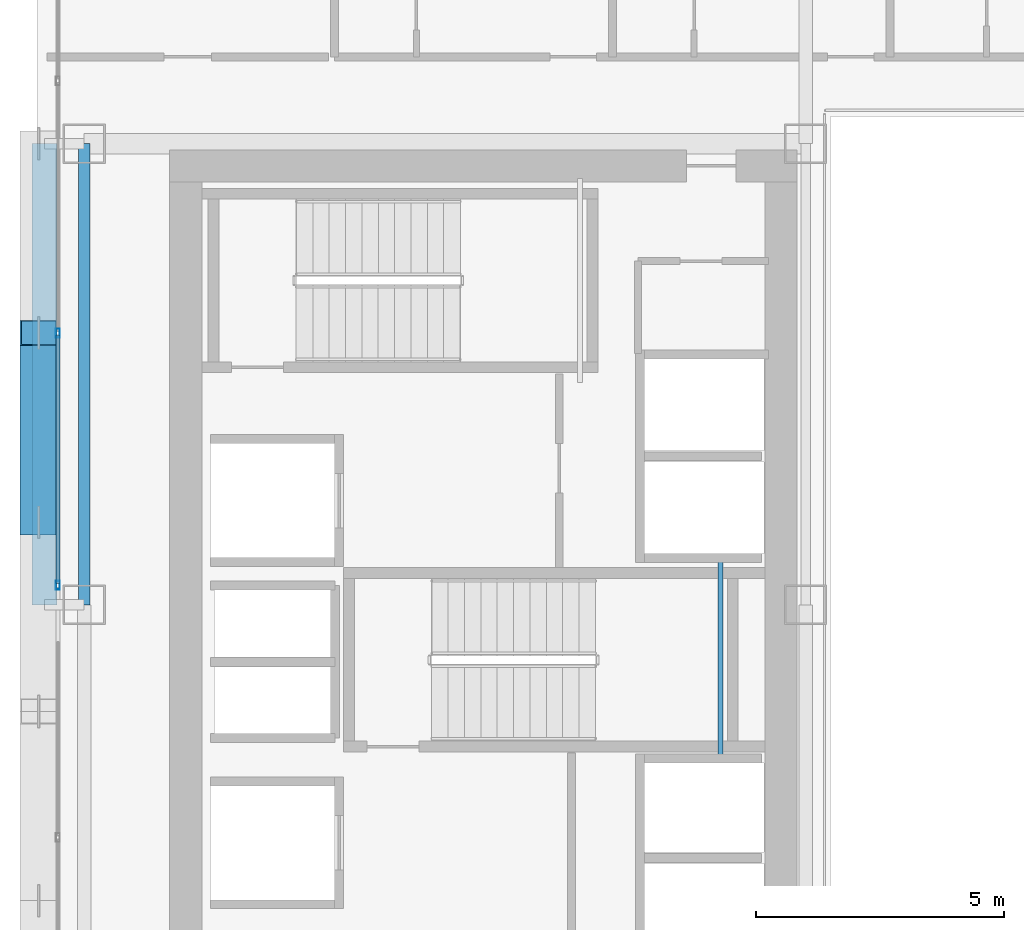
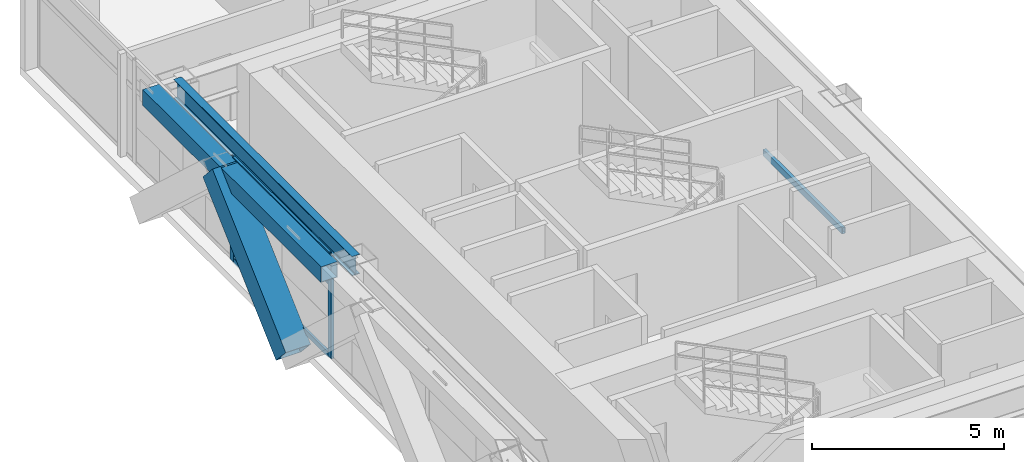
# One storey, part 8 of 36: 6 members, 3 beams, 1 element without a shape of its own.
"""IFC4 building model written with IfcOpenShell, lengths in metres."""

from ifc_helpers import new_model, si_unit, direction, frame, origin, origin_2d, place, context, subcontext, project, spatial, hollow_rectangle, i_section, extrude, source, transform, mapped, material, layer, layer_set, material_profile, profile_set, type_object, element, aggregate, save


model = new_model("IFC4")

# Units and contexts
model_context = context("Model", 3, precision=1e-05, world=origin(), true_north=direction((0.0, 1.0)))
body_context = subcontext(model_context, "Body", "Model", "MODEL_VIEW")
ifc_project = project(units=[si_unit("LENGTHUNIT", "METRE"), si_unit("AREAUNIT", "SQUARE_METRE"), si_unit("VOLUMEUNIT", "CUBIC_METRE"), si_unit("PLANEANGLEUNIT", "RADIAN"), si_unit("MASSUNIT", "GRAM", prefix="KILO")], contexts=[model_context])

# Site, building, storey
site_placement = place(None, origin())
site = spatial("IfcSite", under=ifc_project, at=site_placement, CompositionType="ELEMENT")
building_placement = place(site_placement, origin())
building = spatial("IfcBuilding", under=site, at=building_placement, Name="Ocotamira Hotel", CompositionType="ELEMENT")
storey_placement = place(building_placement, frame((0.0, 0.0, 147.60009765625)))
storey = spatial("IfcBuildingStorey", under=building, at=storey_placement, Name="L37", CompositionType="ELEMENT", Elevation=147.60009765625)

# Beams
ifc_material_1 = material(Name="Steel ASTM A500 Grade C", Category="steel")
ifc_material_profile_1 = material_profile(ifc_material_1, hollow_rectangle(XDim=0.10009765625, YDim=0.199951171875, WallThickness=0.008056640625, at=origin_2d()), Name="HSS200X100X8")
ifc_profile_set_1 = profile_set([ifc_material_profile_1], Name="Steel ASTM A500 Grade C")
beam_type_1 = type_object("IfcBeamType", Name="BM-STLDG-HSS200", PredefinedType="BEAM", material=ifc_profile_set_1)
shared_shape_1 = source(origin(), body_context, "Body", "SweptSolid", [
    extrude(hollow_rectangle(XDim=0.10009765625, YDim=0.199951171875, WallThickness=0.008056640625, at=origin_2d()), origin(), (0.0, 0.0, 1.0), 4.1201171875),
])
beam_1_placement = place(storey_placement, frame((21.780029296875, 24.97998046875, 1.5), z_axis=(0.0, 1.0, 0.0), x_axis=(-1.0, 0.0, 0.0)))
element("IfcBeam", 1, at=beam_1_placement, inside=storey, type_object=beam_type_1, Name="L37 Stair ST-3 Landing Bearer 1", PredefinedType="BEAM", context=body_context, shape_type="MappedRepresentation", body=[
    mapped(shared_shape_1, transform((0.0, 0.0, 0.0), scale=1.0)),
])
ifc_material_2 = material(Name="Steel ASTM A992 Grade 50", Category="steel")
ifc_material_profile_2 = material_profile(ifc_material_2, i_section(OverallWidth=0.22998046875, OverallDepth=0.616943359375, WebThickness=0.01318359375, FlangeThickness=0.022216796875, FilletRadius=0.012939453125, at=origin_2d()), Name="W24X94")
ifc_profile_set_2 = profile_set([ifc_material_profile_2], Name="Steel ASTM A992 Grade 50")
beam_type_2 = type_object("IfcBeamType", Name="BM-PRIM-W24X94", PredefinedType="BEAM", material=ifc_profile_set_2)
shared_shape_2 = source(origin(), body_context, "Body", "SweptSolid", [
    extrude(i_section(OverallWidth=0.22998046875, OverallDepth=0.616943359375, WebThickness=0.01318359375, FlangeThickness=0.022216796875, FilletRadius=0.012939453125, at=origin_2d()), origin(), (0.0, 0.0, 1.0), 9.300048828125),
])
beam_2_placement = place(storey_placement, frame((8.949951171875, 28.14990234375, 2.971435546875), z_axis=(0.0, 1.0, 0.0), x_axis=(-1.0, 0.0, 0.0)))
element("IfcBeam", 2, at=beam_2_placement, inside=storey, type_object=beam_type_2, Name="L37 Beam X8.95 Y28.15-37.45", PredefinedType="BEAM", context=body_context, shape_type="MappedRepresentation", body=[
    mapped(shared_shape_2, transform((0.0, 0.0, 0.0), scale=1.0)),
])
ifc_material_profile_3 = material_profile(ifc_material_1, hollow_rectangle(XDim=0.5, YDim=0.5, WallThickness=0.02001953125, at=origin_2d()), Name="HSS500X500X20")
ifc_profile_set_3 = profile_set([ifc_material_profile_3], Name="Steel ASTM A500 Grade C")
beam_type_3 = type_object("IfcBeamType", Name="BM-SPAN-HSS500", PredefinedType="USERDEFINED", material=ifc_profile_set_3)
shared_shape_3 = source(origin(), body_context, "Body", "SweptSolid", [
    extrude(hollow_rectangle(XDim=0.5, YDim=0.5, WallThickness=0.02001953125, at=origin_2d()), origin(), (0.0, 0.0, 1.0), 9.300048828125),
])
beam_3_placement = place(storey_placement, frame((8.14990234375, 28.14990234375, 3.02978515625), z_axis=(0.0, 1.0, 0.0), x_axis=(-1.0, 0.0, 0.0)))
element("IfcBeam", 3, at=beam_3_placement, inside=storey, type_object=beam_type_3, Name="L37 Edge Spandrel W Y28.15-37.45", ObjectType="SPANDREL", PredefinedType="USERDEFINED", context=body_context, shape_type="MappedRepresentation", body=[
    mapped(shared_shape_3, transform((0.0, 0.0, 0.0), scale=1.0)),
])

# Member
ifc_material_3 = material(Name="Pale-metal coated steel ASTM A913 Grade 65", Category="steel")
ifc_material_profile_4 = material_profile(ifc_material_3, hollow_rectangle(XDim=0.75, YDim=0.75, WallThickness=0.028076171875, at=origin_2d()), Name="BOX750X750X28")
ifc_profile_set_4 = profile_set([ifc_material_profile_4], Name="Pale-metal coated steel ASTM A913 Grade 65")
member_type_1 = type_object("IfcMemberType", Name="MEM-EXO-BOX750", PredefinedType="BRACE", material=ifc_profile_set_4)
shared_shape_4 = source(origin(), body_context, "Body", "SweptSolid", [
    extrude(hollow_rectangle(XDim=0.75, YDim=0.75, WallThickness=0.028076171875, at=origin_2d()), origin(), (0.0, 0.0, 1.0), 5.19189453125),
])
member_1_placement = place(storey_placement, frame((8.030029296875, 29.816650390625, -0.489990234375), z_axis=(0.0, 0.735118858477, 0.677938244909), x_axis=(-1.0, 0.0, 0.0)))
element("IfcMember", 4, at=member_1_placement, inside=storey, type_object=member_type_1, Name="L37 Exoskeleton Diagrid W2.1", PredefinedType="BRACE", context=body_context, shape_type="MappedRepresentation", body=[
    mapped(shared_shape_4, transform((0.0, 0.0, 0.0), scale=1.0)),
])

# Curtain wall, members
ifc_material_4 = material(Name="Anodised pale-metal aluminium and solar glass", Category="aluminium")
ifc_layer = layer(ifc_material_4, 0.179931640625)
ifc_layer_set = layer_set([ifc_layer], Name="Anodised pale-metal aluminium and solar glass")
curtain_wall_type = type_object("IfcCurtainWallType", Name="CW-SYS3-Z2", PredefinedType="NOTDEFINED", material=ifc_layer_set)
curtain_wall_placement = place(storey_placement, origin())
curtain_wall = element("IfcCurtainWall", 5, at=curtain_wall_placement, inside=storey, type_object=curtain_wall_type, Name="L37 Curtain Wall CW-3 CW-L37-W", PredefinedType="NOTDEFINED")
ifc_material_5 = material(Name="Anodised pale-metal aluminium 6063-T6", Category="aluminium")
ifc_material_profile_5 = material_profile(ifc_material_5, hollow_rectangle(XDim=0.074951171875, YDim=0.14990234375, WallThickness=0.006103515625, at=origin_2d()), Name="HSS150X75X6")
ifc_profile_set_5 = profile_set([ifc_material_profile_5], Name="Anodised pale-metal aluminium 6063-T6")
member_type_2 = type_object("IfcMemberType", Name="CWT-150X75", PredefinedType="USERDEFINED", material=ifc_profile_set_5)
shared_shape_5 = source(origin(), body_context, "Body", "SweptSolid", [
    extrude(hollow_rectangle(XDim=0.074951171875, YDim=0.14990234375, WallThickness=0.006103515625, at=origin_2d()), origin(), (0.0, 0.0, 1.0), 5.005859375),
])
member_2_placement = place(storey_placement, frame((8.419921875, 28.582763671875, 0.037353515625), z_axis=(0.0, 1.0, 0.0), x_axis=(-1.0, 0.0, 0.0)))
member_2 = element("IfcMember", 6, at=member_2_placement, type_object=member_type_2, Name="CW-3 transom 5.1", ObjectType="TRANSOM", PredefinedType="USERDEFINED", context=body_context, shape_type="MappedRepresentation", body=[
    mapped(shared_shape_5, transform((0.0, 0.0, 0.0), scale=1.0)),
])
member_3_placement = place(storey_placement, frame((8.419921875, 28.582763671875, 2.349853515625), z_axis=(0.0, 1.0, 0.0), x_axis=(-1.0, 0.0, 0.0)))
member_3 = element("IfcMember", 7, at=member_3_placement, type_object=member_type_2, Name="CW-3 transom 5.2", ObjectType="TRANSOM", PredefinedType="USERDEFINED", context=body_context, shape_type="MappedRepresentation", body=[
    mapped(shared_shape_5, transform((0.0, 0.0, 0.0), scale=1.0)),
])
member_4_placement = place(storey_placement, frame((8.419921875, 28.582763671875, 3.242431640625), z_axis=(0.0, 1.0, 0.0), x_axis=(-1.0, 0.0, 0.0)))
member_4 = element("IfcMember", 8, at=member_4_placement, type_object=member_type_2, Name="CW-3 transom 5.3", ObjectType="TRANSOM", PredefinedType="USERDEFINED", context=body_context, shape_type="MappedRepresentation", body=[
    mapped(shared_shape_5, transform((0.0, 0.0, 0.0), scale=1.0)),
])
ifc_material_profile_6 = material_profile(ifc_material_5, hollow_rectangle(XDim=0.080078125, YDim=0.179931640625, WallThickness=0.006103515625, at=origin_2d()), Name="HSS180X80X6")
ifc_profile_set_6 = profile_set([ifc_material_profile_6], Name="Anodised pale-metal aluminium 6063-T6")
member_type_3 = type_object("IfcMemberType", Name="CWM-180X75", PredefinedType="MULLION", material=ifc_profile_set_6)
shared_shape_6 = source(origin(), body_context, "Body", "SweptSolid", [
    extrude(hollow_rectangle(XDim=0.080078125, YDim=0.179931640625, WallThickness=0.006103515625, at=origin_2d()), origin(), (0.0, 0.0, 1.0), 3.27978515625),
])
member_5_placement = place(storey_placement, frame((8.419921875, 28.54296875, 0.0), z_axis=(0.0, 0.0, 1.0), x_axis=(-1.0, 0.0, 0.0)))
member_5 = element("IfcMember", 9, at=member_5_placement, type_object=member_type_3, Name="CW-3 mullion 5", PredefinedType="MULLION", context=body_context, shape_type="MappedRepresentation", body=[
    mapped(shared_shape_6, transform((0.0, 0.0, 0.0), scale=1.0)),
])
member_6_placement = place(storey_placement, frame((8.419921875, 33.628662109375, 0.0), z_axis=(0.0, 0.0, 1.0), x_axis=(-1.0, 0.0, 0.0)))
member_6 = element("IfcMember", 10, at=member_6_placement, type_object=member_type_3, Name="CW-3 mullion 6", PredefinedType="MULLION", context=body_context, shape_type="MappedRepresentation", body=[
    mapped(shared_shape_6, transform((0.0, 0.0, 0.0), scale=1.0)),
])
aggregate(curtain_wall, [member_5, member_6, member_2, member_3, member_4])

save(model, "model.ifc")
